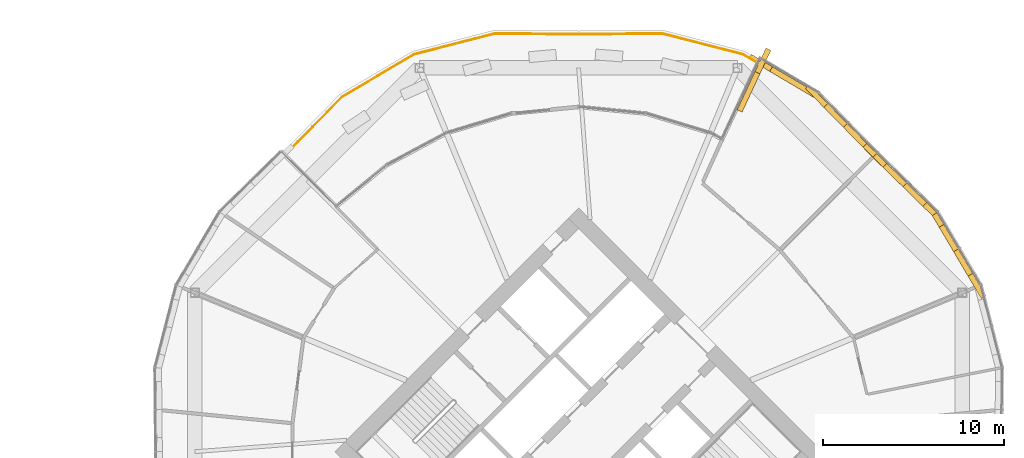
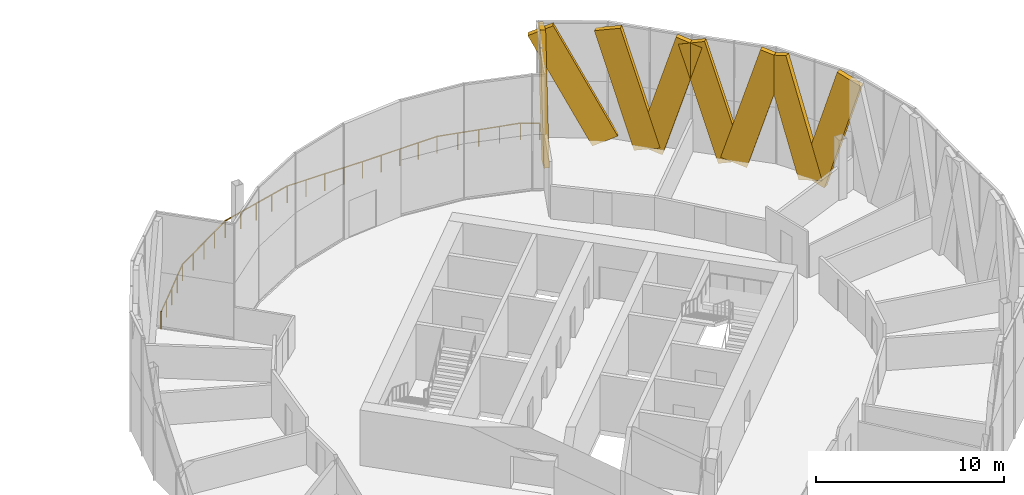
# One storey, part 30 of 31: 8 coverings, 1 railing.
"""IFC4 building model written with IfcOpenShell, lengths in metres."""

from ifc_helpers import new_model, si_unit, direction, frame, origin, origin_2d, place, context, subcontext, project, spatial, rectangle, circle, extrude, material, material_profile, profile_set, type_object, element, save


model = new_model("IFC4")

# Units and contexts
model_context = context("Model", 3, precision=1e-05, world=origin(), true_north=direction((0.0, 1.0)))
body_context = subcontext(model_context, "Body", "Model", "MODEL_VIEW")
ifc_project = project(units=[si_unit("LENGTHUNIT", "METRE"), si_unit("AREAUNIT", "SQUARE_METRE"), si_unit("VOLUMEUNIT", "CUBIC_METRE"), si_unit("PLANEANGLEUNIT", "RADIAN"), si_unit("MASSUNIT", "GRAM", prefix="KILO")], contexts=[model_context])

# Site, building, storey
site_placement = place(None, origin())
site = spatial("IfcSite", under=ifc_project, at=site_placement, CompositionType="ELEMENT")
building_placement = place(site_placement, origin())
building = spatial("IfcBuilding", under=site, at=building_placement, Name="Ogive Gate Towers", CompositionType="ELEMENT")
storey_placement = place(building_placement, frame((0.0, 0.0, 63.60009765625)))
storey = spatial("IfcBuildingStorey", under=building, at=storey_placement, Name="L14", CompositionType="ELEMENT", Elevation=63.60009765625)

# Coverings
ifc_material_1 = material(Name="Pale metal aluminium", Category="aluminium")
ifc_material_profile = material_profile(ifc_material_1, rectangle(XDim=0.300048828125, YDim=1.5, at=origin_2d()), Name="1500 x 300 pale metal aluminium")
ifc_profile_set = profile_set([ifc_material_profile], Name="Pale metal aluminium")
covering_type = type_object("IfcCoveringType", Name="Facade fin 1500 x 300", PredefinedType="CLADDING", material=ifc_profile_set)
covering_1_placement = place(storey_placement, frame((53.94580078125, 14.75341796875, -0.136474609375), z_axis=(-0.203432553912, 0.199560066539, 0.958535850061), x_axis=(-0.700279630907, -0.713868642354, 0.0)))
element("IfcCovering", 1, at=covering_1_placement, inside=storey, type_object=covering_type, Name="Facade fin", PredefinedType="CLADDING", context=body_context, shape_type="SweptSolid", body=[
    extrude(rectangle(XDim=0.300048828125, YDim=1.5, at=origin_2d()), origin(), (0.0, 0.0, 1.0), 7.69140625),
])
covering_2_placement = place(storey_placement, frame((54.036376953125, 14.664306640625, -0.136474609375), z_axis=(0.203462981693, -0.199558777832, 0.958529660089), x_axis=(0.700223950819, 0.713923258271, 0.0)))
element("IfcCovering", 2, at=covering_2_placement, inside=storey, type_object=covering_type, Name="Facade fin", PredefinedType="CLADDING", context=body_context, shape_type="SweptSolid", body=[
    extrude(rectangle(XDim=0.300048828125, YDim=1.5, at=origin_2d()), origin(), (0.0, 0.0, 1.0), 7.691650390625),
])
for number, where, z_axis, x_axis, name in (
    (3, (56.7744140625, 11.160888671875, -0.1337890625), (-0.146654346537, 0.248347808383, 0.957505022814), (-0.86107323281, -0.508480961038, 0.0), "Facade fin"),
    (4, (56.8408203125, 11.048828125, -0.1337890625), (0.146654346537, -0.248347808383, 0.957505022814), (0.86107323281, 0.508480961038, 0.0), "Facade fin"),
):
    element("IfcCovering", number, at=place(storey_placement, frame(where, z_axis=z_axis, x_axis=x_axis)), inside=storey, type_object=covering_type, Name=name, PredefinedType="CLADDING", context=body_context, shape_type="SweptSolid", body=[
        extrude(rectangle(XDim=0.300048828125, YDim=1.5, at=origin_2d()), origin(), (0.0, 0.0, 1.0), 7.6943359375),
    ])
covering_3_placement = place(storey_placement, frame((50.664306640625, 18.036376953125, -0.136474609375), z_axis=(-0.199558777832, 0.203462981693, 0.958529660089), x_axis=(-0.713923258271, -0.700223950819, 0.0)))
element("IfcCovering", 5, at=covering_3_placement, inside=storey, type_object=covering_type, Name="Facade fin", PredefinedType="CLADDING", context=body_context, shape_type="SweptSolid", body=[
    extrude(rectangle(XDim=0.300048828125, YDim=1.5, at=origin_2d()), origin(), (0.0, 0.0, 1.0), 7.691650390625),
])
covering_4_placement = place(storey_placement, frame((50.75341796875, 17.94580078125, -0.136474609375), z_axis=(0.199560066539, -0.203432553912, 0.958535850061), x_axis=(0.713868642354, 0.700279630907, 0.0)))
element("IfcCovering", 6, at=covering_4_placement, inside=storey, type_object=covering_type, Name="Facade fin", PredefinedType="CLADDING", context=body_context, shape_type="SweptSolid", body=[
    extrude(rectangle(XDim=0.300048828125, YDim=1.5, at=origin_2d()), origin(), (0.0, 0.0, 1.0), 7.69140625),
])
covering_5_placement = place(storey_placement, frame((45.184326171875, 19.435546875, -0.12353515625), z_axis=(0.127662518087, 0.273761657892, 0.953287383817), x_axis=(-0.906300989731, 0.422632838303, 0.0)))
element("IfcCovering", 7, at=covering_5_placement, inside=storey, type_object=covering_type, Name="Facade fin", PredefinedType="CLADDING", context=body_context, shape_type="SweptSolid", body=[
    extrude(rectangle(XDim=0.300048828125, YDim=1.5, at=origin_2d()), origin(), (0.0, 0.0, 1.0), 7.70703125),
])
covering_6_placement = place(storey_placement, frame((48.99365234375, 19.692138671875, -0.025390625), z_axis=(-0.372856750918, 0.220205534694, 0.901380810637), x_axis=(-0.508525766356, -0.861046772802, 0.0)))
element("IfcCovering", 8, at=covering_6_placement, inside=storey, type_object=covering_type, Name="Facade fin", PredefinedType="CLADDING", context=body_context, shape_type="SweptSolid", body=[
    extrude(rectangle(XDim=0.300048828125, YDim=1.5, at=origin_2d()), origin(), (0.0, 0.0, 1.0), 7.9326171875),
])

# Railing
ifc_material_2 = material(Name="Stainless steel", Category="steel")
railing_type = type_object("IfcRailingType", Name="Guard 1100", PredefinedType="GUARDRAIL", material=ifc_material_2)
railing_placement = place(storey_placement, frame((19.72802734375, 16.269287109375, 0.0)))
element("IfcRailing", 9, at=railing_placement, inside=storey, type_object=railing_type, Name="Sky garden guard", PredefinedType="GUARDRAIL", context=body_context, shape_type="SweptSolid", body=[
    extrude(circle(Radius=0.02392578125, at=origin_2d()), frame((0.0, 0.0, 1.076171875), z_axis=(0.700312627902, 0.713836271985, 0.0), x_axis=(-0.713836271985, 0.700312627902, 0.0)), (0.0, 0.0, 1.0), 4.603515625),
    extrude(circle(Radius=0.02392578125, at=origin_2d()), frame((3.223876953125, 3.2861328125, 1.076171875), z_axis=(0.861037044691, 0.508542237843, 0.0), x_axis=(-0.508542237843, 0.861037044691, 0.0)), (0.0, 0.0, 1.0), 4.616943359375),
    extrude(circle(Radius=0.02392578125, at=origin_2d()), frame((7.19921875, 5.634033203125, 1.076171875), z_axis=(0.96843642762, 0.249260678122, 0.0), x_axis=(-0.249260678122, 0.96843642762, 0.0)), (0.0, 0.0, 1.0), 4.6171875),
    extrude(circle(Radius=0.02392578125, at=origin_2d()), frame((11.670654296875, 6.784912109375, 1.076171875), z_axis=(0.999953927257, -0.009599133431, 0.0), x_axis=(0.009599133431, 0.999953927257, 0.0)), (0.0, 0.0, 1.0), 4.603515625),
    extrude(circle(Radius=0.02392578125, at=origin_2d()), frame((16.27392578125, 6.74072265625, 1.076171875), z_axis=(0.99995384897, 0.009607285241, 0.0), x_axis=(-0.009607285241, 0.99995384897, 0.0)), (0.0, 0.0, 1.0), 4.599609375),
    extrude(circle(Radius=0.02392578125, at=origin_2d()), frame((20.873291015625, 6.784912109375, 1.076171875), z_axis=(0.96843642762, -0.249260678122, 0.0), x_axis=(0.249260678122, 0.96843642762, 0.0)), (0.0, 0.0, 1.0), 4.6171875),
    extrude(circle(Radius=0.02392578125, at=origin_2d()), frame((25.3447265625, 5.634033203125, 1.076171875), z_axis=(0.861064778233, -0.508495277939, 0.0), x_axis=(0.508495277939, 0.861064778233, 0.0)), (0.0, 0.0, 1.0), 1.019287109375),
    extrude(circle(Radius=0.02099609375, at=origin_2d()), origin(), (0.0, 0.0, 1.0), 1.052001953125),
    extrude(circle(Radius=0.02099609375, at=origin_2d()), frame((0.805908203125, 0.821533203125, 0.0)), (0.0, 0.0, 1.0), 1.052001953125),
    extrude(circle(Radius=0.02099609375, at=origin_2d()), frame((1.61181640625, 1.64306640625, 0.0)), (0.0, 0.0, 1.0), 1.052001953125),
    extrude(circle(Radius=0.02099609375, at=origin_2d()), frame((2.41796875, 2.464599609375, 0.0)), (0.0, 0.0, 1.0), 1.052001953125),
    extrude(circle(Radius=0.02099609375, at=origin_2d()), frame((3.223876953125, 3.2861328125, 0.0)), (0.0, 0.0, 1.0), 1.052001953125),
    extrude(circle(Radius=0.02099609375, at=origin_2d()), frame((4.2177734375, 3.873046875, 0.0)), (0.0, 0.0, 1.0), 1.052001953125),
    extrude(circle(Radius=0.02099609375, at=origin_2d()), frame((5.21142578125, 4.4599609375, 0.0)), (0.0, 0.0, 1.0), 1.052001953125),
    extrude(circle(Radius=0.02099609375, at=origin_2d()), frame((6.205322265625, 5.047119140625, 0.0)), (0.0, 0.0, 1.0), 1.052001953125),
    extrude(circle(Radius=0.02099609375, at=origin_2d()), frame((7.19921875, 5.634033203125, 0.0)), (0.0, 0.0, 1.0), 1.052001953125),
    extrude(circle(Radius=0.02099609375, at=origin_2d()), frame((8.317138671875, 5.921875, 0.0)), (0.0, 0.0, 1.0), 1.052001953125),
    extrude(circle(Radius=0.02099609375, at=origin_2d()), frame((9.43505859375, 6.20947265625, 0.0)), (0.0, 0.0, 1.0), 1.052001953125),
    extrude(circle(Radius=0.02099609375, at=origin_2d()), frame((10.552734375, 6.4970703125, 0.0)), (0.0, 0.0, 1.0), 1.052001953125),
    extrude(circle(Radius=0.02099609375, at=origin_2d()), frame((11.670654296875, 6.784912109375, 0.0)), (0.0, 0.0, 1.0), 1.052001953125),
    extrude(circle(Radius=0.02099609375, at=origin_2d()), frame((12.821533203125, 6.77392578125, 0.0)), (0.0, 0.0, 1.0), 1.052001953125),
    extrude(circle(Radius=0.02099609375, at=origin_2d()), frame((13.97216796875, 6.7626953125, 0.0)), (0.0, 0.0, 1.0), 1.052001953125),
    extrude(circle(Radius=0.02099609375, at=origin_2d()), frame((15.123046875, 6.751708984375, 0.0)), (0.0, 0.0, 1.0), 1.052001953125),
    extrude(circle(Radius=0.02099609375, at=origin_2d()), frame((16.27392578125, 6.74072265625, 0.0)), (0.0, 0.0, 1.0), 1.052001953125),
    extrude(circle(Radius=0.02099609375, at=origin_2d()), frame((17.423828125, 6.751708984375, 0.0)), (0.0, 0.0, 1.0), 1.052001953125),
    extrude(circle(Radius=0.02099609375, at=origin_2d()), frame((18.57373046875, 6.7626953125, 0.0)), (0.0, 0.0, 1.0), 1.052001953125),
    extrude(circle(Radius=0.02099609375, at=origin_2d()), frame((19.723388671875, 6.77392578125, 0.0)), (0.0, 0.0, 1.0), 1.052001953125),
    extrude(circle(Radius=0.02099609375, at=origin_2d()), frame((20.873291015625, 6.784912109375, 0.0)), (0.0, 0.0, 1.0), 1.052001953125),
    extrude(circle(Radius=0.02099609375, at=origin_2d()), frame((21.9912109375, 6.4970703125, 0.0)), (0.0, 0.0, 1.0), 1.052001953125),
    extrude(circle(Radius=0.02099609375, at=origin_2d()), frame((23.10888671875, 6.20947265625, 0.0)), (0.0, 0.0, 1.0), 1.052001953125),
    extrude(circle(Radius=0.02099609375, at=origin_2d()), frame((24.226806640625, 5.921875, 0.0)), (0.0, 0.0, 1.0), 1.052001953125),
    extrude(circle(Radius=0.02099609375, at=origin_2d()), frame((25.3447265625, 5.634033203125, 0.0)), (0.0, 0.0, 1.0), 1.052001953125),
    extrude(circle(Radius=0.02099609375, at=origin_2d()), frame((26.222412109375, 5.11572265625, 0.0)), (0.0, 0.0, 1.0), 1.052001953125),
])

save(model, "model.ifc")
